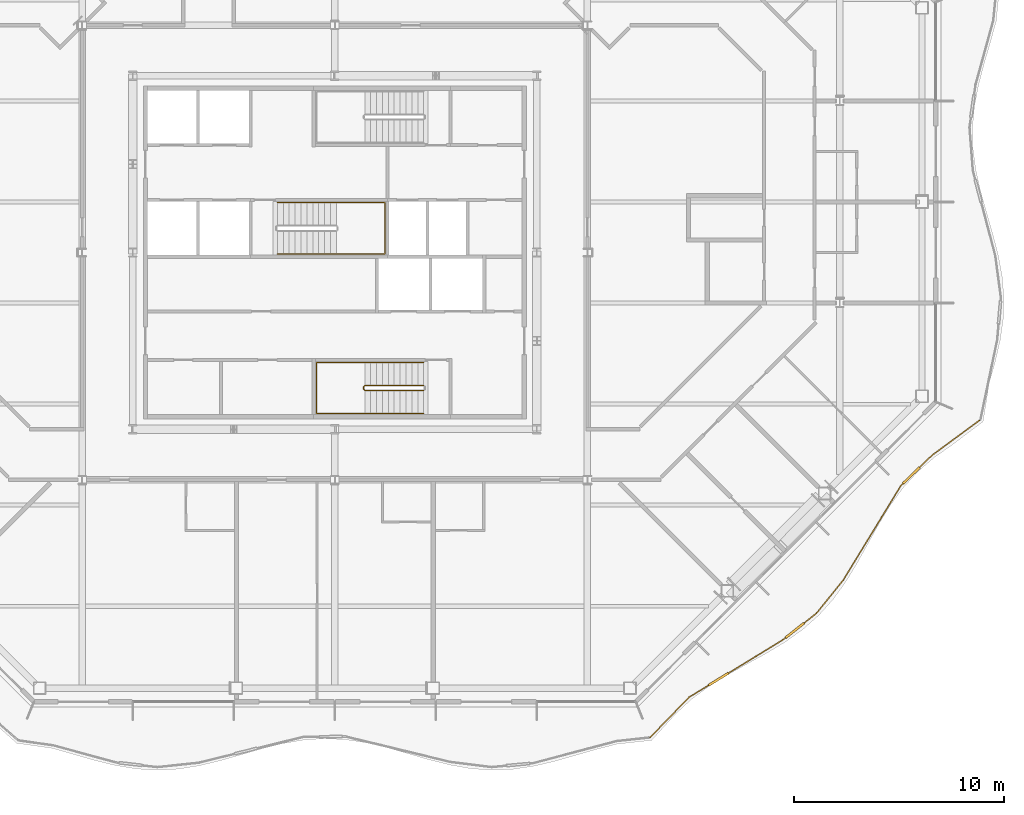
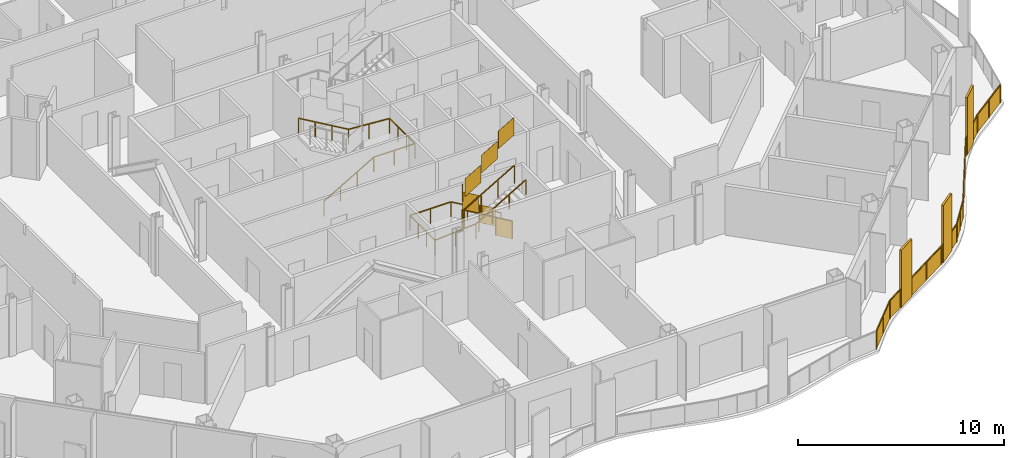
# One storey, part 17 of 21: 4 railings.
"""IFC4 building model written with IfcOpenShell, lengths in metres."""

from ifc_helpers import new_model, si_unit, direction, frame, origin, origin_2d, place, context, subcontext, project, spatial, polyline, rectangle, outline, extrude, material, type_object, element, save


model = new_model("IFC4")

# Units and contexts
model_context = context("Model", 3, precision=1e-05, world=origin(), true_north=direction((0.0, 1.0)))
body_context = subcontext(model_context, "Body", "Model", "MODEL_VIEW")
ifc_project = project(units=[si_unit("LENGTHUNIT", "METRE"), si_unit("AREAUNIT", "SQUARE_METRE"), si_unit("VOLUMEUNIT", "CUBIC_METRE"), si_unit("PLANEANGLEUNIT", "RADIAN"), si_unit("MASSUNIT", "GRAM", prefix="KILO")], contexts=[model_context])

# Site, building, storey
site_placement = place(None, origin())
site = spatial("IfcSite", under=ifc_project, at=site_placement, CompositionType="ELEMENT")
building_placement = place(site_placement, origin())
building = spatial("IfcBuilding", under=site, at=building_placement, Name="Cairn Pilgrim Tower", CompositionType="ELEMENT")
storey_placement = place(building_placement, frame((0.0, 0.0, 157.800048828125)))
storey = spatial("IfcBuildingStorey", under=building, at=storey_placement, Name="L39", CompositionType="ELEMENT", Elevation=157.800048828125)

# Railings
ifc_material_1 = material(Name="Bronze anodised aluminium rail, posts and fin screens with laminated glass infill", Category="aluminium")
railing_type_1 = type_object("IfcRailingType", Name="BALCONY GUARD WITH FIN SCREENS", PredefinedType="GUARDRAIL", material=ifc_material_1)
railing_1_placement = place(storey_placement, frame((22.18505859375, -20.638427734375, 0.0)))
element("IfcRailing", 1, at=railing_1_placement, inside=storey, type_object=railing_type_1, Name="Balcony guard BGF-2 with fin screens", PredefinedType="GUARDRAIL", context=body_context, shape_type="SweptSolid", body=[
    extrude(rectangle(XDim=0.050048828125, YDim=0.050048828125, at=origin_2d()), frame((0.0, 0.0, 1.0751953125), z_axis=(0.696086992853, 0.717957448866, 0.0), x_axis=(-0.717957448866, 0.696086992853, 0.0)), (0.0, 0.0, 1.0), 2.65673828125),
    extrude(rectangle(XDim=1.10009765625, YDim=0.110107421875, at=origin_2d()), frame((3.24853515625, 2.763916015625, 0.0), z_axis=(0.0, 0.0, 1.0), x_axis=(0.85289739895, 0.522078563881, 0.0)), (0.0, 0.0, 1.0), 3.39990234375),
    extrude(rectangle(XDim=0.050048828125, YDim=0.050048828125, at=origin_2d()), frame((1.849365234375, 1.907470703125, 1.0751953125), z_axis=(0.85289739895, 0.522078563881, 0.0), x_axis=(-0.522078563881, 0.85289739895, 0.0)), (0.0, 0.0, 1.0), 1.090576171875),
    extrude(rectangle(XDim=0.050048828125, YDim=0.050048828125, at=origin_2d()), frame((3.7177734375, 3.051025390625, 1.0751953125), z_axis=(0.85289739895, 0.522078563881, 0.0), x_axis=(-0.522078563881, 0.85289739895, 0.0)), (0.0, 0.0, 1.0), 3.0556640625),
    extrude(rectangle(XDim=1.10009765625, YDim=0.110107421875, at=origin_2d()), frame((6.87255859375, 5.08154296875, 0.0), z_axis=(0.0, 0.0, 1.0), x_axis=(0.78349767909, 0.621394711002, 0.0)), (0.0, 0.0, 1.0), 3.39990234375),
    extrude(rectangle(XDim=0.050048828125, YDim=0.050048828125, at=origin_2d()), frame((6.323974609375, 4.646484375, 1.0751953125), z_axis=(0.78349767909, 0.621394711002, 0.0), x_axis=(-0.621394711002, 0.78349767909, 0.0)), (0.0, 0.0, 1.0), 0.150146484375),
    extrude(rectangle(XDim=0.050048828125, YDim=0.050048828125, at=origin_2d()), frame((7.303466796875, 5.42333984375, 1.0751953125), z_axis=(0.78349767909, 0.621394711002, 0.0), x_axis=(-0.621394711002, 0.78349767909, 0.0)), (0.0, 0.0, 1.0), 0.774169921875),
    extrude(rectangle(XDim=0.050048828125, YDim=0.050048828125, at=origin_2d()), frame((7.909912109375, 5.904296875, 1.0751953125), z_axis=(0.627195269755, 0.778862050428, 0.0), x_axis=(-0.778862050428, 0.627195269755, 0.0)), (0.0, 0.0, 1.0), 2.021728515625),
    extrude(rectangle(XDim=0.050048828125, YDim=0.050048828125, at=origin_2d()), frame((9.177978515625, 7.47900390625, 1.0751953125), z_axis=(0.520783616855, 0.853688716345, 0.0), x_axis=(-0.853688716345, 0.520783616855, 0.0)), (0.0, 0.0, 1.0), 5.247314453125),
    extrude(rectangle(XDim=1.10009765625, YDim=0.110107421875, at=origin_2d()), frame((12.411865234375, 12.447509765625, 0.0), z_axis=(0.0, 0.0, 1.0), x_axis=(0.715797796367, 0.698307607517, 0.0)), (0.0, 0.0, 1.0), 3.39990234375),
    extrude(rectangle(XDim=0.050048828125, YDim=0.050048828125, at=origin_2d()), frame((11.91064453125, 11.95849609375, 1.0751953125), z_axis=(0.715797796367, 0.698307607517, 0.0), x_axis=(-0.698307607517, 0.715797796367, 0.0)), (0.0, 0.0, 1.0), 0.150146484375),
    extrude(rectangle(XDim=0.050048828125, YDim=0.050048828125, at=origin_2d()), frame((12.805419921875, 12.83154296875, 1.0751953125), z_axis=(0.715797796367, 0.698307607517, 0.0), x_axis=(-0.698307607517, 0.715797796367, 0.0)), (0.0, 0.0, 1.0), 0.815673828125),
    extrude(rectangle(XDim=0.050048828125, YDim=0.050048828125, at=origin_2d()), frame((13.389404296875, 13.401123046875, 1.0751953125), z_axis=(0.805314870367, 0.592847332427, 0.0), x_axis=(-0.592847332427, 0.805314870367, 0.0)), (0.0, 0.0, 1.0), 2.79443359375),
    extrude(rectangle(XDim=0.050048828125, YDim=0.050048828125, at=origin_2d()), origin(), (0.0, 0.0, 1.0), 1.050048828125),
    extrude(rectangle(XDim=0.050048828125, YDim=0.050048828125, at=origin_2d()), frame((0.9248046875, 0.95361328125, 0.0)), (0.0, 0.0, 1.0), 1.050048828125),
    extrude(rectangle(XDim=0.050048828125, YDim=0.050048828125, at=origin_2d()), frame((1.849365234375, 1.907470703125, 0.0)), (0.0, 0.0, 1.0), 1.050048828125),
    extrude(rectangle(XDim=0.050048828125, YDim=0.050048828125, at=origin_2d()), frame((2.75830078125, 2.4638671875, 0.0)), (0.0, 0.0, 1.0), 1.050048828125),
    extrude(rectangle(XDim=0.050048828125, YDim=0.050048828125, at=origin_2d()), frame((3.739013671875, 3.064208984375, 0.0)), (0.0, 0.0, 1.0), 1.050048828125),
    extrude(rectangle(XDim=0.050048828125, YDim=0.050048828125, at=origin_2d()), frame((5.031494140625, 3.855224609375, 0.0)), (0.0, 0.0, 1.0), 1.050048828125),
    extrude(rectangle(XDim=0.050048828125, YDim=0.050048828125, at=origin_2d()), frame((6.323974609375, 4.646484375, 0.0)), (0.0, 0.0, 1.0), 1.050048828125),
    extrude(rectangle(XDim=0.050048828125, YDim=0.050048828125, at=origin_2d()), frame((6.421875, 4.72412109375, 0.0)), (0.0, 0.0, 1.0), 1.050048828125),
    extrude(rectangle(XDim=0.050048828125, YDim=0.050048828125, at=origin_2d()), frame((7.322998046875, 5.438720703125, 0.0)), (0.0, 0.0, 1.0), 1.050048828125),
    extrude(rectangle(XDim=0.050048828125, YDim=0.050048828125, at=origin_2d()), frame((7.909912109375, 5.904296875, 0.0)), (0.0, 0.0, 1.0), 1.050048828125),
    extrude(rectangle(XDim=0.050048828125, YDim=0.050048828125, at=origin_2d()), frame((8.5439453125, 6.691650390625, 0.0)), (0.0, 0.0, 1.0), 1.050048828125),
    extrude(rectangle(XDim=0.050048828125, YDim=0.050048828125, at=origin_2d()), frame((9.177978515625, 7.47900390625, 0.0)), (0.0, 0.0, 1.0), 1.050048828125),
    extrude(rectangle(XDim=0.050048828125, YDim=0.050048828125, at=origin_2d()), frame((10.0888671875, 8.97216796875, 0.0)), (0.0, 0.0, 1.0), 1.050048828125),
    extrude(rectangle(XDim=0.050048828125, YDim=0.050048828125, at=origin_2d()), frame((10.999755859375, 10.46533203125, 0.0)), (0.0, 0.0, 1.0), 1.050048828125),
    extrude(rectangle(XDim=0.050048828125, YDim=0.050048828125, at=origin_2d()), frame((11.91064453125, 11.95849609375, 0.0)), (0.0, 0.0, 1.0), 1.050048828125),
    extrude(rectangle(XDim=0.050048828125, YDim=0.050048828125, at=origin_2d()), frame((12.000244140625, 12.0458984375, 0.0)), (0.0, 0.0, 1.0), 1.050048828125),
    extrude(rectangle(XDim=0.050048828125, YDim=0.050048828125, at=origin_2d()), frame((12.823486328125, 12.848876953125, 0.0)), (0.0, 0.0, 1.0), 1.050048828125),
    extrude(rectangle(XDim=0.050048828125, YDim=0.050048828125, at=origin_2d()), frame((13.389404296875, 13.401123046875, 0.0)), (0.0, 0.0, 1.0), 1.050048828125),
    extrude(rectangle(XDim=0.050048828125, YDim=0.050048828125, at=origin_2d()), frame((14.5146484375, 14.2294921875, 0.0)), (0.0, 0.0, 1.0), 1.050048828125),
    extrude(rectangle(XDim=0.050048828125, YDim=0.050048828125, at=origin_2d()), frame((15.639892578125, 15.057861328125, 0.0)), (0.0, 0.0, 1.0), 1.050048828125),
    extrude(outline(polyline([(0.02490234375, 0.0), (1.303466796875, 0.0), (1.303466796875, 1.050048828125), (0.02490234375, 1.050048828125), (0.02490234375, 0.0)])), frame((-0.00439453125, 0.004150390625, 0.0), z_axis=(0.717957448866, -0.696086992853, 0.0), x_axis=(0.696086992853, 0.717957448866, 0.0)), (0.0, 0.0, 1.0), 0.011962890625),
    extrude(outline(polyline([(0.02490234375, 0.0), (1.303466796875, 0.0), (1.303466796875, 1.050048828125), (0.02490234375, 1.050048828125), (0.02490234375, 0.0)])), frame((0.92041015625, 0.9580078125, 0.0), z_axis=(0.717957448866, -0.696086992853, 0.0), x_axis=(0.696086992853, 0.717957448866, 0.0)), (0.0, 0.0, 1.0), 0.011962890625),
    extrude(outline(polyline([(0.02490234375, 0.0), (1.04052734375, 0.0), (1.04052734375, 1.050048828125), (0.02490234375, 1.050048828125), (0.02490234375, 0.0)])), frame((1.84619140625, 1.91259765625, 0.0), z_axis=(0.522078563881, -0.85289739895, 0.0), x_axis=(0.85289739895, 0.522078563881, 0.0)), (0.0, 0.0, 1.0), 0.011962890625),
    extrude(outline(polyline([(0.02490234375, 0.0), (1.490234375, 0.0), (1.490234375, 1.050048828125), (0.02490234375, 1.050048828125), (0.02490234375, 0.0)])), frame((3.73583984375, 3.0693359375, 0.0), z_axis=(0.522078563881, -0.85289739895, 0.0), x_axis=(0.85289739895, 0.522078563881, 0.0)), (0.0, 0.0, 1.0), 0.011962890625),
    extrude(outline(polyline([(0.02490234375, 0.0), (1.490234375, 0.0), (1.490234375, 1.050048828125), (0.02490234375, 1.050048828125), (0.02490234375, 0.0)])), frame((5.0283203125, 3.8603515625, 0.0), z_axis=(0.522078563881, -0.85289739895, 0.0), x_axis=(0.85289739895, 0.522078563881, 0.0)), (0.0, 0.0, 1.0), 0.011962890625),
    extrude(outline(polyline([(0.02490234375, 0.0), (0.10009765625, 0.0), (0.10009765625, 1.050048828125), (0.02490234375, 1.050048828125), (0.02490234375, 0.0)])), frame((6.3203125, 4.651123046875, 0.0), z_axis=(0.621394711002, -0.78349767909, 0.0), x_axis=(0.78349767909, 0.621394711002, 0.0)), (0.0, 0.0, 1.0), 0.011962890625),
    extrude(outline(polyline([(0.02490234375, 0.0), (0.72412109375, 0.0), (0.72412109375, 1.050048828125), (0.02490234375, 1.050048828125), (0.02490234375, 0.0)])), frame((7.3193359375, 5.443603515625, 0.0), z_axis=(0.621394711002, -0.78349767909, 0.0), x_axis=(0.78349767909, 0.621394711002, 0.0)), (0.0, 0.0, 1.0), 0.011962890625),
    extrude(outline(polyline([(0.02490234375, 0.0), (0.98583984375, 0.0), (0.98583984375, 1.050048828125), (0.02490234375, 1.050048828125), (0.02490234375, 0.0)])), frame((7.9052734375, 5.907958984375, 0.0), z_axis=(0.778862050428, -0.627195269755, 0.0), x_axis=(0.627195269755, 0.778862050428, 0.0)), (0.0, 0.0, 1.0), 0.011962890625),
    extrude(outline(polyline([(0.02490234375, 0.0), (0.98583984375, 0.0), (0.98583984375, 1.050048828125), (0.02490234375, 1.050048828125), (0.02490234375, 0.0)])), frame((8.539306640625, 6.6953125, 0.0), z_axis=(0.778862050428, -0.627195269755, 0.0), x_axis=(0.627195269755, 0.778862050428, 0.0)), (0.0, 0.0, 1.0), 0.011962890625),
    extrude(outline(polyline([(0.02490234375, 0.0), (1.72412109375, 0.0), (1.72412109375, 1.050048828125), (0.02490234375, 1.050048828125), (0.02490234375, 0.0)])), frame((9.1728515625, 7.482177734375, 0.0), z_axis=(0.853688716345, -0.520783616855, 0.0), x_axis=(0.520783616855, 0.853688716345, 0.0)), (0.0, 0.0, 1.0), 0.011962890625),
    extrude(outline(polyline([(0.02490234375, 0.0), (1.72412109375, 0.0), (1.72412109375, 1.050048828125), (0.02490234375, 1.050048828125), (0.02490234375, 0.0)])), frame((10.083740234375, 8.975341796875, 0.0), z_axis=(0.853688716345, -0.520783616855, 0.0), x_axis=(0.520783616855, 0.853688716345, 0.0)), (0.0, 0.0, 1.0), 0.011962890625),
    extrude(outline(polyline([(0.02490234375, 0.0), (1.72412109375, 0.0), (1.72412109375, 1.050048828125), (0.02490234375, 1.050048828125), (0.02490234375, 0.0)])), frame((10.99462890625, 10.468505859375, 0.0), z_axis=(0.853688716345, -0.520783616855, 0.0), x_axis=(0.520783616855, 0.853688716345, 0.0)), (0.0, 0.0, 1.0), 0.011962890625),
    extrude(outline(polyline([(0.02490234375, 0.0), (0.10009765625, 0.0), (0.10009765625, 1.050048828125), (0.02490234375, 1.050048828125), (0.02490234375, 0.0)])), frame((11.906494140625, 11.962890625, 0.0), z_axis=(0.698307607517, -0.715797796367, 0.0), x_axis=(0.715797796367, 0.698307607517, 0.0)), (0.0, 0.0, 1.0), 0.011962890625),
    extrude(outline(polyline([(0.02490234375, 0.0), (0.765625, 0.0), (0.765625, 1.050048828125), (0.02490234375, 1.050048828125), (0.02490234375, 0.0)])), frame((12.8193359375, 12.853271484375, 0.0), z_axis=(0.698307607517, -0.715797796367, 0.0), x_axis=(0.715797796367, 0.698307607517, 0.0)), (0.0, 0.0, 1.0), 0.011962890625),
    extrude(outline(polyline([(0.02490234375, 0.0), (1.372314453125, 0.0), (1.372314453125, 1.050048828125), (0.02490234375, 1.050048828125), (0.02490234375, 0.0)])), frame((13.3857421875, 13.406005859375, 0.0), z_axis=(0.592847332427, -0.805314870367, 0.0), x_axis=(0.805314870367, 0.592847332427, 0.0)), (0.0, 0.0, 1.0), 0.011962890625),
    extrude(outline(polyline([(0.02490234375, 0.0), (1.372314453125, 0.0), (1.372314453125, 1.050048828125), (0.02490234375, 1.050048828125), (0.02490234375, 0.0)])), frame((14.510986328125, 14.234375, 0.0), z_axis=(0.592847332427, -0.805314870367, 0.0), x_axis=(0.805314870367, 0.592847332427, 0.0)), (0.0, 0.0, 1.0), 0.011962890625),
])
ifc_material_2 = material(Name="Painted steel", Category="steel")
railing_type_2 = type_object("IfcRailingType", Name="STAIR GUARD 1100", PredefinedType="GUARDRAIL", material=ifc_material_2)
railing_2_placement = place(storey_placement, frame((11.425048828125, -3.925048828125, 0.16357421875)))
element("IfcRailing", 2, at=railing_2_placement, inside=storey, type_object=railing_type_2, Name="L39 ST-A stair guard 1", PredefinedType="GUARDRAIL", context=body_context, shape_type="SweptSolid", body=[
    extrude(rectangle(XDim=0.048095703125, YDim=0.048095703125, at=origin_2d()), frame((0.0, 0.0, 1.076171875), z_axis=(-0.863360870873, 0.0, 0.504586966384), x_axis=(0.0, -1.0, 0.0)), (0.0, 0.0, 1.0), 3.2431640625),
    extrude(rectangle(XDim=0.048095703125, YDim=0.048095703125, at=origin_2d()), frame((-2.800048828125, 0.0, 2.71240234375), z_axis=(-0.707106781187, -0.707106781187, 0.0), x_axis=(0.707106781187, -0.707106781187, 0.0)), (0.0, 0.0, 1.0), 0.07080078125),
    extrude(rectangle(XDim=0.048095703125, YDim=0.048095703125, at=origin_2d()), frame((-2.85009765625, -0.050048828125, 2.71240234375), z_axis=(0.0, -1.0, 0.0), x_axis=(1.0, 0.0, 0.0)), (0.0, 0.0, 1.0), 0.125),
    extrude(rectangle(XDim=0.048095703125, YDim=0.048095703125, at=origin_2d()), frame((-2.85009765625, -0.175048828125, 2.71240234375), z_axis=(0.280916556609, -0.279546231943, 0.91811752648), x_axis=(0.705375805398, 0.708833529934, 0.0)), (0.0, 0.0, 1.0), 0.17822265625),
    extrude(rectangle(XDim=0.048095703125, YDim=0.048095703125, at=origin_2d()), frame((-2.800048828125, -0.224853515625, 2.8759765625), z_axis=(0.863393664356, 0.0, 0.504530851732), x_axis=(0.0, 1.0, 0.0)), (0.0, 0.0, 1.0), 3.2431640625),
    extrude(rectangle(XDim=0.0419921875, YDim=0.0419921875, at=origin_2d()), origin(), (0.0, 0.0, 1.0), 1.052001953125),
    extrude(rectangle(XDim=0.0419921875, YDim=0.0419921875, at=origin_2d()), frame((-0.933349609375, 0.0, 0.54541015625)), (0.0, 0.0, 1.0), 1.052001953125),
    extrude(rectangle(XDim=0.0419921875, YDim=0.0419921875, at=origin_2d()), frame((-1.86669921875, 0.0, 1.091064453125)), (0.0, 0.0, 1.0), 1.052001953125),
    extrude(rectangle(XDim=0.0419921875, YDim=0.0419921875, at=origin_2d()), frame((-2.800048828125, 0.0, 1.636474609375)), (0.0, 0.0, 1.0), 1.052001953125),
    extrude(rectangle(XDim=0.0419921875, YDim=0.0419921875, at=origin_2d()), frame((-2.85009765625, -0.050048828125, 1.636474609375)), (0.0, 0.0, 1.0), 1.052001953125),
    extrude(rectangle(XDim=0.0419921875, YDim=0.0419921875, at=origin_2d()), frame((-2.85009765625, -0.175048828125, 1.636474609375)), (0.0, 0.0, 1.0), 1.052001953125),
    extrude(rectangle(XDim=0.0419921875, YDim=0.0419921875, at=origin_2d()), frame((-2.800048828125, -0.224853515625, 1.800048828125)), (0.0, 0.0, 1.0), 1.052001953125),
    extrude(rectangle(XDim=0.0419921875, YDim=0.0419921875, at=origin_2d()), frame((-1.86669921875, -0.224853515625, 2.345458984375)), (0.0, 0.0, 1.0), 1.052001953125),
    extrude(rectangle(XDim=0.0419921875, YDim=0.0419921875, at=origin_2d()), frame((-0.933349609375, -0.224853515625, 2.890869140625)), (0.0, 0.0, 1.0), 1.052001953125),
    extrude(rectangle(XDim=0.0419921875, YDim=0.0419921875, at=origin_2d()), frame((0.0, -0.224853515625, 3.436279296875)), (0.0, 0.0, 1.0), 1.052001953125),
    extrude(outline(polyline([(0.02099609375, 0.01220703125), (0.912353515625, 0.533203125), (0.912353515625, 1.585205078125), (0.02099609375, 1.064208984375), (0.02099609375, 0.01220703125)])), frame((0.0, -0.005859375, 0.0), z_axis=(0.0, 1.0, 0.0), x_axis=(-1.0, 0.0, 0.0)), (0.0, 0.0, 1.0), 0.011962890625),
    extrude(outline(polyline([(0.02099609375, 0.557861328125), (0.912353515625, 1.07861328125), (0.912353515625, 2.130615234375), (0.02099609375, 1.60986328125), (0.02099609375, 0.557861328125)])), frame((-0.933349609375, -0.005859375, 0.54541015625), z_axis=(0.0, 1.0, 0.0), x_axis=(-1.0, 0.0, 0.0)), (0.0, 0.0, 1.0), 0.011962890625),
    extrude(outline(polyline([(0.02099609375, 1.103271484375), (0.912353515625, 1.624267578125), (0.912353515625, 2.67626953125), (0.02099609375, 2.1552734375), (0.02099609375, 1.103271484375)])), frame((-1.86669921875, -0.005859375, 1.091064453125), z_axis=(0.0, 1.0, 0.0), x_axis=(-1.0, 0.0, 0.0)), (0.0, 0.0, 1.0), 0.011962890625),
    extrude(outline(polyline([(0.02099609375, 1.636474609375), (0.10400390625, 1.636474609375), (0.10400390625, 2.6884765625), (0.02099609375, 2.6884765625), (0.02099609375, 1.636474609375)])), frame((-2.84423828125, -0.050048828125, 1.636474609375), z_axis=(-1.0, 0.0, 0.0), x_axis=(0.0, -1.0, 0.0)), (0.0, 0.0, 1.0), 0.011962890625),
    extrude(outline(polyline([(0.02099609375, 1.812255859375), (0.912353515625, 2.333251953125), (0.912353515625, 3.38525390625), (0.02099609375, 2.8642578125), (0.02099609375, 1.812255859375)])), frame((-2.800048828125, -0.21875, 1.800048828125), z_axis=(0.0, -1.0, 0.0), x_axis=(1.0, 0.0, 0.0)), (0.0, 0.0, 1.0), 0.011962890625),
    extrude(outline(polyline([(0.02099609375, 2.357666015625), (0.912353515625, 2.878662109375), (0.912353515625, 3.9306640625), (0.02099609375, 3.40966796875), (0.02099609375, 2.357666015625)])), frame((-1.86669921875, -0.21875, 2.345458984375), z_axis=(0.0, -1.0, 0.0), x_axis=(1.0, 0.0, 0.0)), (0.0, 0.0, 1.0), 0.011962890625),
    extrude(outline(polyline([(0.02099609375, 2.903076171875), (0.912353515625, 3.424072265625), (0.912353515625, 4.47607421875), (0.02099609375, 3.955078125), (0.02099609375, 2.903076171875)])), frame((-0.933349609375, -0.21875, 2.890869140625), z_axis=(0.0, -1.0, 0.0), x_axis=(1.0, 0.0, 0.0)), (0.0, 0.0, 1.0), 0.011962890625),
])
railing_type_3 = type_object("IfcRailingType", Name="STAIR HANDRAIL 900", PredefinedType="HANDRAIL", material=ifc_material_2)
railing_3_placement = place(storey_placement, frame((11.425048828125, -2.824951171875, 0.16357421875)))
element("IfcRailing", 3, at=railing_3_placement, inside=storey, type_object=railing_type_3, Name="L39 ST-A stair handrail 1", PredefinedType="HANDRAIL", context=body_context, shape_type="SweptSolid", body=[
    extrude(rectangle(XDim=0.048095703125, YDim=0.048095703125, at=origin_2d()), frame((0.0, 0.0, 0.8759765625), z_axis=(-0.863360870873, 0.0, 0.504586966384), x_axis=(0.0, -1.0, 0.0)), (0.0, 0.0, 1.0), 3.2431640625),
    extrude(rectangle(XDim=0.048095703125, YDim=0.048095703125, at=origin_2d()), frame((-2.800048828125, 0.0, 2.51220703125), z_axis=(-1.0, 0.0, 0.0), x_axis=(0.0, -1.0, 0.0)), (0.0, 0.0, 1.0), 2.300048828125),
    extrude(rectangle(XDim=0.048095703125, YDim=0.048095703125, at=origin_2d()), frame((-5.10009765625, 0.0, 2.51220703125), z_axis=(0.0, -1.0, 0.0), x_axis=(1.0, 0.0, 0.0)), (0.0, 0.0, 1.0), 2.425048828125),
    extrude(rectangle(XDim=0.048095703125, YDim=0.048095703125, at=origin_2d()), frame((-5.10009765625, -2.425048828125, 2.51220703125), z_axis=(0.997480687736, 0.0, 0.070938548008), x_axis=(0.0, 1.0, 0.0)), (0.0, 0.0, 1.0), 2.305908203125),
    extrude(rectangle(XDim=0.048095703125, YDim=0.048095703125, at=origin_2d()), frame((-2.800048828125, -2.425048828125, 2.67578125), z_axis=(0.863393664356, 0.0, 0.504530851732), x_axis=(0.0, 1.0, 0.0)), (0.0, 0.0, 1.0), 3.2431640625),
    extrude(rectangle(XDim=0.0419921875, YDim=0.0419921875, at=origin_2d()), origin(), (0.0, 0.0, 1.0), 0.851806640625),
    extrude(rectangle(XDim=0.0419921875, YDim=0.0419921875, at=origin_2d()), frame((-0.933349609375, 0.0, 0.54541015625)), (0.0, 0.0, 1.0), 0.851806640625),
    extrude(rectangle(XDim=0.0419921875, YDim=0.0419921875, at=origin_2d()), frame((-1.86669921875, 0.0, 1.091064453125)), (0.0, 0.0, 1.0), 0.851806640625),
    extrude(rectangle(XDim=0.0419921875, YDim=0.0419921875, at=origin_2d()), frame((-2.800048828125, 0.0, 1.636474609375)), (0.0, 0.0, 1.0), 0.851806640625),
    extrude(rectangle(XDim=0.0419921875, YDim=0.0419921875, at=origin_2d()), frame((-3.9501953125, 0.0, 1.636474609375)), (0.0, 0.0, 1.0), 0.851806640625),
    extrude(rectangle(XDim=0.0419921875, YDim=0.0419921875, at=origin_2d()), frame((-5.10009765625, 0.0, 1.636474609375)), (0.0, 0.0, 1.0), 0.851806640625),
    extrude(rectangle(XDim=0.0419921875, YDim=0.0419921875, at=origin_2d()), frame((-5.10009765625, -0.808349609375, 1.636474609375)), (0.0, 0.0, 1.0), 0.851806640625),
    extrude(rectangle(XDim=0.0419921875, YDim=0.0419921875, at=origin_2d()), frame((-5.10009765625, -1.61669921875, 1.636474609375)), (0.0, 0.0, 1.0), 0.851806640625),
    extrude(rectangle(XDim=0.0419921875, YDim=0.0419921875, at=origin_2d()), frame((-5.10009765625, -2.425048828125, 1.636474609375)), (0.0, 0.0, 1.0), 0.851806640625),
    extrude(rectangle(XDim=0.0419921875, YDim=0.0419921875, at=origin_2d()), frame((-3.9501953125, -2.425048828125, 1.71826171875)), (0.0, 0.0, 1.0), 0.851806640625),
    extrude(rectangle(XDim=0.0419921875, YDim=0.0419921875, at=origin_2d()), frame((-2.800048828125, -2.425048828125, 1.800048828125)), (0.0, 0.0, 1.0), 0.851806640625),
    extrude(rectangle(XDim=0.0419921875, YDim=0.0419921875, at=origin_2d()), frame((-1.86669921875, -2.425048828125, 2.345458984375)), (0.0, 0.0, 1.0), 0.851806640625),
    extrude(rectangle(XDim=0.0419921875, YDim=0.0419921875, at=origin_2d()), frame((-0.933349609375, -2.425048828125, 2.890869140625)), (0.0, 0.0, 1.0), 0.851806640625),
    extrude(rectangle(XDim=0.0419921875, YDim=0.0419921875, at=origin_2d()), frame((0.0, -2.425048828125, 3.436279296875)), (0.0, 0.0, 1.0), 0.851806640625),
])
railing_4_placement = place(storey_placement, frame((4.47509765625, 2.324951171875, 0.16357421875)))
element("IfcRailing", 4, at=railing_4_placement, inside=storey, type_object=railing_type_3, Name="L39 ST-B stair handrail 1", PredefinedType="HANDRAIL", context=body_context, shape_type="SweptSolid", body=[
    extrude(rectangle(XDim=0.048095703125, YDim=0.048095703125, at=origin_2d()), frame((0.0, 0.0, 0.8759765625), z_axis=(0.863341702679, 0.0, 0.504619762213), x_axis=(0.0, 1.0, 0.0)), (0.0, 0.0, 1.0), 3.242919921875),
    extrude(rectangle(XDim=0.048095703125, YDim=0.048095703125, at=origin_2d()), frame((2.7998046875, 0.0, 2.51220703125), z_axis=(1.0, 0.0, 0.0), x_axis=(0.0, 1.0, 0.0)), (0.0, 0.0, 1.0), 2.300048828125),
    extrude(rectangle(XDim=0.048095703125, YDim=0.048095703125, at=origin_2d()), frame((5.099853515625, 0.0, 2.51220703125), z_axis=(0.0, 1.0, 0.0), x_axis=(-1.0, 0.0, 0.0)), (0.0, 0.0, 1.0), 2.449951171875),
    extrude(rectangle(XDim=0.048095703125, YDim=0.048095703125, at=origin_2d()), frame((5.099853515625, 2.449951171875, 2.51220703125), z_axis=(-0.997480687736, 0.0, 0.070938548008), x_axis=(0.0, -1.0, 0.0)), (0.0, 0.0, 1.0), 2.305908203125),
    extrude(rectangle(XDim=0.048095703125, YDim=0.048095703125, at=origin_2d()), frame((2.7998046875, 2.449951171875, 2.67578125), z_axis=(-0.863374499697, 0.0, 0.504563646405), x_axis=(0.0, -1.0, 0.0)), (0.0, 0.0, 1.0), 3.242919921875),
    extrude(rectangle(XDim=0.0419921875, YDim=0.0419921875, at=origin_2d()), origin(), (0.0, 0.0, 1.0), 0.851806640625),
    extrude(rectangle(XDim=0.0419921875, YDim=0.0419921875, at=origin_2d()), frame((0.933349609375, 0.0, 0.54541015625)), (0.0, 0.0, 1.0), 0.851806640625),
    extrude(rectangle(XDim=0.0419921875, YDim=0.0419921875, at=origin_2d()), frame((1.866455078125, 0.0, 1.091064453125)), (0.0, 0.0, 1.0), 0.851806640625),
    extrude(rectangle(XDim=0.0419921875, YDim=0.0419921875, at=origin_2d()), frame((2.7998046875, 0.0, 1.636474609375)), (0.0, 0.0, 1.0), 0.851806640625),
    extrude(rectangle(XDim=0.0419921875, YDim=0.0419921875, at=origin_2d()), frame((3.94970703125, 0.0, 1.636474609375)), (0.0, 0.0, 1.0), 0.851806640625),
    extrude(rectangle(XDim=0.0419921875, YDim=0.0419921875, at=origin_2d()), frame((5.099853515625, 0.0, 1.636474609375)), (0.0, 0.0, 1.0), 0.851806640625),
    extrude(rectangle(XDim=0.0419921875, YDim=0.0419921875, at=origin_2d()), frame((5.099853515625, 0.816650390625, 1.636474609375)), (0.0, 0.0, 1.0), 0.851806640625),
    extrude(rectangle(XDim=0.0419921875, YDim=0.0419921875, at=origin_2d()), frame((5.099853515625, 1.63330078125, 1.636474609375)), (0.0, 0.0, 1.0), 0.851806640625),
    extrude(rectangle(XDim=0.0419921875, YDim=0.0419921875, at=origin_2d()), frame((5.099853515625, 2.449951171875, 1.636474609375)), (0.0, 0.0, 1.0), 0.851806640625),
    extrude(rectangle(XDim=0.0419921875, YDim=0.0419921875, at=origin_2d()), frame((3.94970703125, 2.449951171875, 1.71826171875)), (0.0, 0.0, 1.0), 0.851806640625),
    extrude(rectangle(XDim=0.0419921875, YDim=0.0419921875, at=origin_2d()), frame((2.7998046875, 2.449951171875, 1.800048828125)), (0.0, 0.0, 1.0), 0.851806640625),
    extrude(rectangle(XDim=0.0419921875, YDim=0.0419921875, at=origin_2d()), frame((1.866455078125, 2.449951171875, 2.345458984375)), (0.0, 0.0, 1.0), 0.851806640625),
    extrude(rectangle(XDim=0.0419921875, YDim=0.0419921875, at=origin_2d()), frame((0.933349609375, 2.449951171875, 2.890869140625)), (0.0, 0.0, 1.0), 0.851806640625),
    extrude(rectangle(XDim=0.0419921875, YDim=0.0419921875, at=origin_2d()), frame((0.0, 2.449951171875, 3.436279296875)), (0.0, 0.0, 1.0), 0.851806640625),
])

save(model, "model.ifc")
